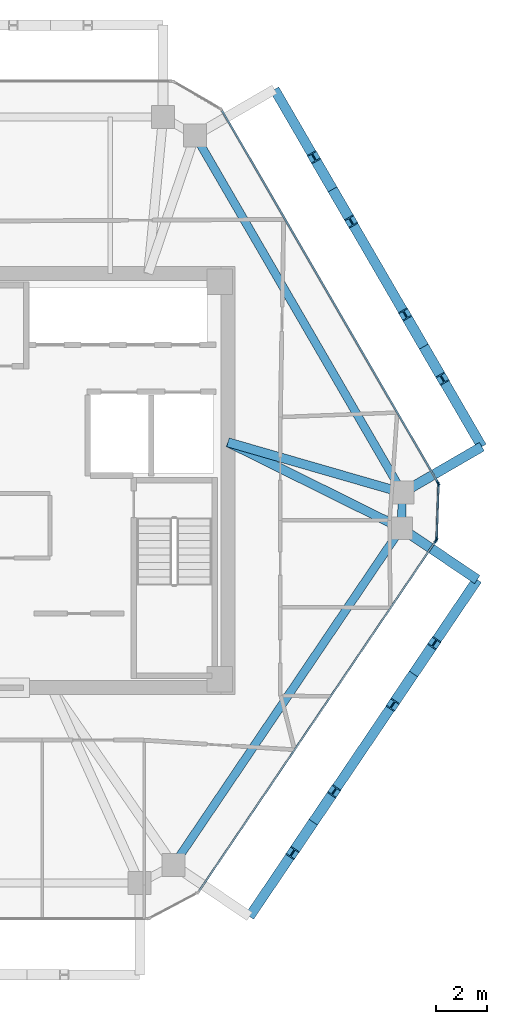
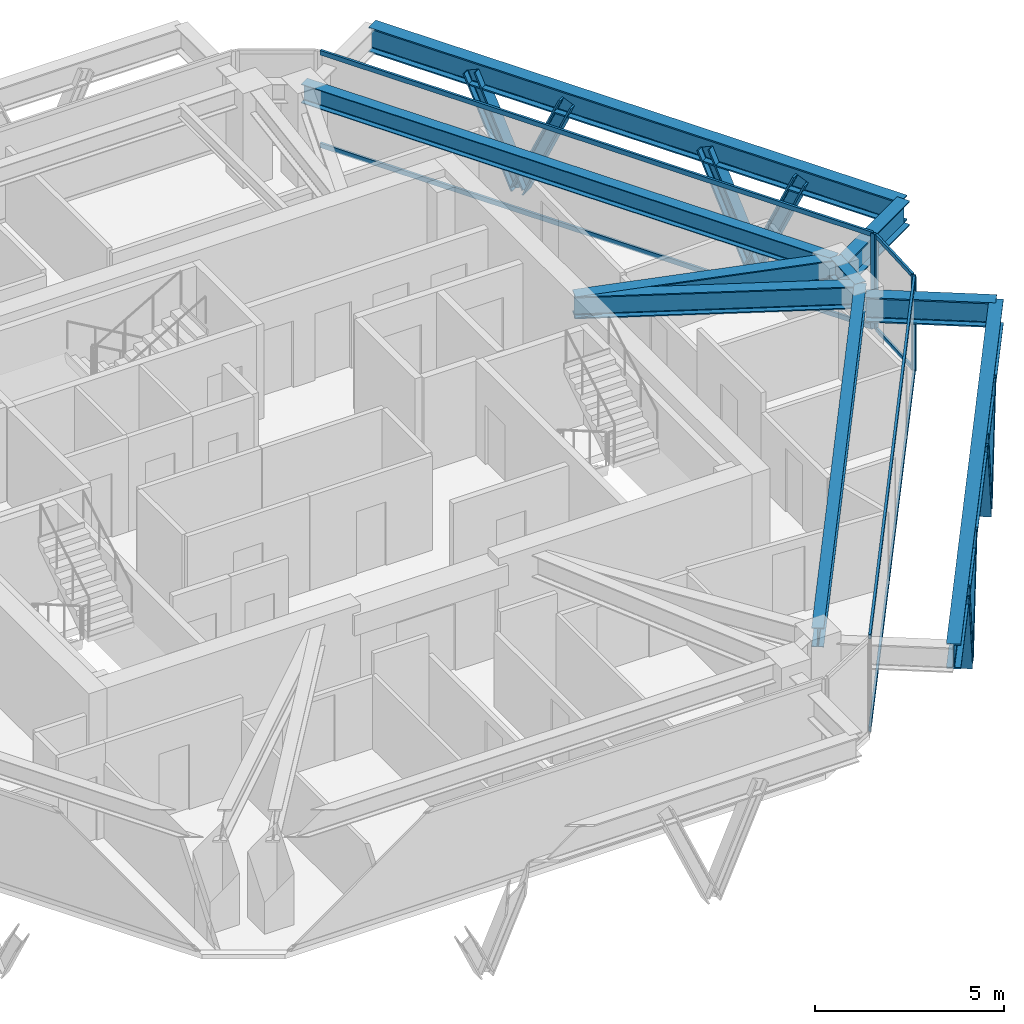
# One storey, part 5 of 11: 18 members, 9 beams, 3 elements without a shape of their own.
"""IFC4 building model written with IfcOpenShell, lengths in metres."""

import ifcopenshell
import ifcopenshell.guid

model = None  # the IFC model being written
_history = None  # IfcOwnerHistory: only IFC2X3 demands one
_inside = {}  # id of a spatial element -> (the spatial element, [elements in it])
_under = {}  # id of a project, library or spatial element -> (it, [spatial elements below it])
_declared = {}  # id of a project -> (the project, [libraries it declares])
_typed = {}  # id of a type object -> (the type object, [elements of that type])
_made_of = {}  # id of a material, layer set ... -> (it, [elements and type objects made of it])


def new_model(schema):
    """Start an empty IFC model of exactly this schema.

    Asked for "IFC4X3", IfcOpenShell would pick the latest addendum, in which some entities
    have other attributes; the version numbers below select the first issue.
    IFC2X3 requires an IfcOwnerHistory on every rooted entity: one is made here for all.
    """
    global model, _history
    if schema == "IFC4X3":
        model = ifcopenshell.file(schema_version=(4, 3, 0, 0))
    else:
        model = ifcopenshell.file(schema=schema)
    _inside.clear()
    _under.clear()
    _declared.clear()
    _typed.clear()
    _made_of.clear()
    _history = None
    if model.schema == "IFC2X3":
        org = make("IfcOrganization", Name="unknown")
        user = make(
            "IfcPersonAndOrganization",
            ThePerson=make("IfcPerson", FamilyName="unknown"),
            TheOrganization=org,
        )
        app = make(
            "IfcApplication",
            ApplicationDeveloper=org,
            Version="unknown",
            ApplicationFullName="unknown",
            ApplicationIdentifier="unknown",
        )
        _history = make(
            "IfcOwnerHistory",
            OwningUser=user,
            OwningApplication=app,
            ChangeAction="ADDED",
            CreationDate=0,
        )
    return model


def make(cls, **values):
    """One entity of the class cls with the attributes given. An attribute that is None is left unset."""
    return model.create_entity(
        cls, **{name: value for name, value in values.items() if value is not None}
    )


def rooted(cls, **values):
    """An entity with a GlobalId (a new one), such as an element, a storey or a relation."""
    return make(cls, GlobalId=ifcopenshell.guid.new(), OwnerHistory=_history, **values)


def si_unit(unit_type, name, prefix=None):
    """IfcSIUnit, for example si_unit("LENGTHUNIT", "METRE", prefix="MILLI")."""
    return make("IfcSIUnit", UnitType=unit_type, Prefix=prefix, Name=name)


def assignment(units):
    """IfcUnitAssignment: the units of a project."""
    return None if units is None else make("IfcUnitAssignment", Units=units)


def point(xyz):
    """IfcCartesianPoint."""
    return None if xyz is None else make("IfcCartesianPoint", Coordinates=xyz)


def direction(xyz):
    """IfcDirection."""
    return None if xyz is None else make("IfcDirection", DirectionRatios=xyz)


def frame(location, z_axis=None, x_axis=None):
    """IfcAxis2Placement3D, a coordinate frame: its origin and axes. An axis left out is left unset."""
    return make(
        "IfcAxis2Placement3D",
        Location=point(location),
        Axis=direction(z_axis),
        RefDirection=direction(x_axis),
    )


def frame_2d(location, x_axis=None):
    """IfcAxis2Placement2D, a coordinate frame in the plane: its origin and x axis."""
    return make(
        "IfcAxis2Placement2D", Location=point(location), RefDirection=direction(x_axis)
    )


def origin():
    """The frame at (0, 0, 0) with its axes left unset."""
    return frame((0.0, 0.0, 0.0))


def origin_2d():
    """The frame at (0, 0) in the plane with its x axis left unset."""
    return frame_2d((0.0, 0.0))


def place(relative_to, where):
    """IfcLocalPlacement: puts the frame where relative to a parent placement (None: the world)."""
    return make(
        "IfcLocalPlacement", PlacementRelTo=relative_to, RelativePlacement=where
    )


def context(
    kind, dimensions, precision=None, world=None, true_north=None, identifier=None
):
    """IfcGeometricRepresentationContext, for example the 3D "Model" context."""
    return make(
        "IfcGeometricRepresentationContext",
        ContextIdentifier=identifier,
        ContextType=kind,
        CoordinateSpaceDimension=dimensions,
        Precision=precision,
        WorldCoordinateSystem=world,
        TrueNorth=true_north,
    )


def subcontext(parent, identifier, kind, view, scale=None):
    """IfcGeometricRepresentationSubContext, for example "Body" below "Model"."""
    return make(
        "IfcGeometricRepresentationSubContext",
        ContextIdentifier=identifier,
        ContextType=kind,
        ParentContext=parent,
        TargetScale=scale,
        TargetView=view,
    )


def project(units=None, contexts=None):
    """IfcProject with its units and contexts."""
    return rooted(
        "IfcProject",
        Name="project",
        RepresentationContexts=contexts,
        UnitsInContext=assignment(units),
    )


def spatial(cls, under=None, at=None, **own):
    """A site, building, storey or space (cls), placed at a placement, below another one or the project."""
    s = rooted(cls, ObjectPlacement=at, **own)
    if under is not None:
        _under.setdefault(under.id(), (under, []))[1].append(s)
    return s


def profile(cls, at=None, kind="AREA", **sizes):
    """A parametric profile (cls). Its sizes go by their IFC names, for example OverallWidth=200.0."""
    return make(cls, ProfileType=kind, Position=at, **sizes)


def rectangle(**sizes):
    """IfcRectangleProfileDef."""
    return profile("IfcRectangleProfileDef", **sizes)


def i_section(**sizes):
    """IfcIShapeProfileDef."""
    return profile("IfcIShapeProfileDef", **sizes)


def extrude(swept, where, along, depth):
    """IfcExtrudedAreaSolid: the profile swept, set in the frame where, extruded along a direction by depth."""
    return make(
        "IfcExtrudedAreaSolid",
        SweptArea=swept,
        Position=where,
        ExtrudedDirection=direction(along),
        Depth=depth,
    )


def shape(context_of_items, identifier, shape_type, items):
    """IfcShapeRepresentation: the items that make up one representation, for example the "Body"."""
    return make(
        "IfcShapeRepresentation",
        ContextOfItems=context_of_items,
        RepresentationIdentifier=identifier,
        RepresentationType=shape_type,
        Items=items,
    )


def source(mapping_origin, context_of_items, identifier, shape_type, items):
    """IfcRepresentationMap: a shape defined once, which mapped items show again and again."""
    return make(
        "IfcRepresentationMap",
        MappingOrigin=mapping_origin,
        MappedRepresentation=shape(context_of_items, identifier, shape_type, items),
    )


def transform(
    local_origin,
    x_axis=None,
    y_axis=None,
    z_axis=None,
    scale=None,
    scale2=None,
    scale3=None,
    uniform=True,
):
    """IfcCartesianTransformationOperator3D, or its non-uniform kind. x_axis, y_axis, z_axis: its Axis1, 2, 3."""
    if uniform:
        return make(
            "IfcCartesianTransformationOperator3D",
            Axis1=direction(x_axis),
            Axis2=direction(y_axis),
            LocalOrigin=point(local_origin),
            Scale=scale,
            Axis3=direction(z_axis),
        )
    return make(
        "IfcCartesianTransformationOperator3DnonUniform",
        Axis1=direction(x_axis),
        Axis2=direction(y_axis),
        LocalOrigin=point(local_origin),
        Scale=scale,
        Axis3=direction(z_axis),
        Scale2=scale2,
        Scale3=scale3,
    )


def mapped(mapping_source, mapping_target):
    """IfcMappedItem: shows the shape of a source again, moved by a transform."""
    return make(
        "IfcMappedItem", MappingSource=mapping_source, MappingTarget=mapping_target
    )


def material(Name=None, Category=None):
    """IfcMaterial."""
    return make("IfcMaterial", Name=Name, Category=Category)


def layer(
    of_material, thickness, ventilated=None, Name=None, Category=None, Priority=None
):
    """IfcMaterialLayer: one layer of a wall or slab, of a material (None: an air gap)."""
    return make(
        "IfcMaterialLayer",
        Material=of_material,
        LayerThickness=thickness,
        IsVentilated=ventilated,
        Name=Name,
        Category=Category,
        Priority=Priority,
    )


def layer_set(layers, Name=None):
    """IfcMaterialLayerSet."""
    return make("IfcMaterialLayerSet", MaterialLayers=layers, LayerSetName=Name)


def material_profile(
    of_material, cross_section, Name=None, Category=None, Priority=None
):
    """IfcMaterialProfile: a cross section and its material."""
    return make(
        "IfcMaterialProfile",
        Name=Name,
        Material=of_material,
        Profile=cross_section,
        Priority=Priority,
        Category=Category,
    )


def profile_set(profiles, Name=None, composite=None):
    """IfcMaterialProfileSet."""
    return make(
        "IfcMaterialProfileSet",
        Name=Name,
        MaterialProfiles=profiles,
        CompositeProfile=composite,
    )


def made_of(thing, what):
    """Note that an element or type object is made of a material, layer set ...; save() writes the relation."""
    if what is not None:
        _made_of.setdefault(what.id(), (what, []))[1].append(thing)
    return thing


def type_object(cls, material=None, **own):
    """A type object (cls), such as IfcWallType, which elements share."""
    return made_of(rooted(cls, **own), material)


def type_shapes(of_type, sources):
    """Give a type object the sources (RepresentationMaps) that its elements show as mapped items."""
    of_type.RepresentationMaps = sources


def element(
    cls,
    number,
    at=None,
    inside=None,
    cuts=None,
    type_object=None,
    material=None,
    context=None,
    identifier="Body",
    shape_type=None,
    held_by="IfcProductDefinitionShape",
    body=None,
    shapes=None,
    **own,
):
    """One element of the class cls, such as IfcWall. Its Tag is "e" and its number.

    at: its placement. inside: the storey or other place that contains it. cuts: it is an
    opening in that element (IfcRelVoidsElement). A single representation is given by context,
    identifier, shape_type and body (its items); several are given by shapes. held_by: the class
    of the entity that holds the representations. save() writes the other relations.
    """
    e = rooted(cls, Tag="e%d" % number, ObjectPlacement=at, **own)
    if body is not None:
        shapes = [shape(context, identifier, shape_type, body)]
    if shapes is not None:
        e.Representation = make(held_by, Representations=shapes)
    if inside is not None:
        _inside.setdefault(inside.id(), (inside, []))[1].append(e)
    if cuts is not None:
        rooted(
            "IfcRelVoidsElement", RelatingBuildingElement=cuts, RelatedOpeningElement=e
        )
    if type_object is not None:
        _typed.setdefault(type_object.id(), (type_object, []))[1].append(e)
    return made_of(e, material)


def aggregate(whole, parts):
    """IfcRelAggregates: a whole, such as a stair, and the parts it consists of."""
    return rooted("IfcRelAggregates", RelatingObject=whole, RelatedObjects=parts)


def save(model, path):
    """Write the relations noted so far, then the file.

    IfcRelAggregates (storeys below a building ...), IfcRelContainedInSpatialStructure (elements
    in a storey), IfcRelDefinesByType, IfcRelAssociatesMaterial and IfcRelDeclares: one each for
    every whole, place, type object, material and project.
    """
    for whole, parts in _under.values():
        aggregate(whole, parts)
    for where, things in _inside.values():
        rooted(
            "IfcRelContainedInSpatialStructure",
            RelatedElements=things,
            RelatingStructure=where,
        )
    for kind, things in _typed.values():
        rooted("IfcRelDefinesByType", RelatedObjects=things, RelatingType=kind)
    for what, things in _made_of.values():
        rooted("IfcRelAssociatesMaterial", RelatedObjects=things, RelatingMaterial=what)
    for by, libraries in _declared.values():
        rooted("IfcRelDeclares", RelatingContext=by, RelatedDefinitions=libraries)
    model.write(path)


model = new_model("IFC4")

# Units and contexts
model_context = context("Model", 3, precision=1e-05, world=origin(), true_north=direction((0.0, 1.0)))
body_context = subcontext(model_context, "Body", "Model", "MODEL_VIEW")
ifc_project = project(units=[si_unit("LENGTHUNIT", "METRE"), si_unit("AREAUNIT", "SQUARE_METRE"), si_unit("VOLUMEUNIT", "CUBIC_METRE"), si_unit("PLANEANGLEUNIT", "RADIAN"), si_unit("MASSUNIT", "GRAM", prefix="KILO")], contexts=[model_context])

# Site, building, storey
site_placement = place(None, origin())
site = spatial("IfcSite", under=ifc_project, at=site_placement, CompositionType="ELEMENT")
building_placement = place(site_placement, origin())
building = spatial("IfcBuilding", under=site, at=building_placement, Name="Durnholm Broadcast Tower", CompositionType="ELEMENT")
storey_placement = place(building_placement, frame((0.0, 0.0, 244.699951171875)))
storey = spatial("IfcBuildingStorey", under=building, at=storey_placement, Name="L68", CompositionType="ELEMENT", Elevation=244.699951171875)

# Beams
ifc_material_1 = material(Name="Steel ASTM A992 Grade 50", Category="steel")
ifc_material_profile_1 = material_profile(ifc_material_1, i_section(OverallWidth=0.385009765625, OverallDepth=0.802978515625, WebThickness=0.023681640625, FlangeThickness=0.0419921875, FilletRadius=0.032958984375, at=origin_2d()), Name="W30X261")
ifc_profile_set_1 = profile_set([ifc_material_profile_1], Name="Steel ASTM A992 Grade 50")
beam_type_1 = type_object("IfcBeamType", Name="BM-EXO-TIE", PredefinedType="USERDEFINED", material=ifc_profile_set_1)
shared_shape_1 = source(origin(), body_context, "Body", "SweptSolid", [
    extrude(i_section(OverallWidth=0.385009765625, OverallDepth=0.802978515625, WebThickness=0.023681640625, FlangeThickness=0.0419921875, FilletRadius=0.032958984375, at=origin_2d()), origin(), (0.0, 0.0, 1.0), 3.4560546875),
])
beam_1_placement = place(storey_placement, frame((17.0947265625, -0.40380859375, 2.30859375), z_axis=(0.864924479231, 0.501902027518, 0.0), x_axis=(-0.501902027518, 0.864924479231, 0.0)))
element("IfcBeam", 1, at=beam_1_placement, inside=storey, type_object=beam_type_1, Name="L68 exoskeleton stand-off tie bracket F3.1", ObjectType="GIRDER", PredefinedType="USERDEFINED", context=body_context, shape_type="MappedRepresentation", body=[
    mapped(shared_shape_1, transform((0.0, 0.0, 0.0), x_axis=(1.0, 0.0, 0.0), y_axis=(0.0, 1.0, 0.0), z_axis=(0.0, 0.0, 1.0), scale=1.0)),
])
shared_shape_2 = source(origin(), body_context, "Body", "SweptSolid", [
    extrude(i_section(OverallWidth=0.385009765625, OverallDepth=0.802978515625, WebThickness=0.023681640625, FlangeThickness=0.0419921875, FilletRadius=0.032958984375, at=origin_2d()), origin(), (0.0, 0.0, 1.0), 3.455810546875),
])
beam_2_placement = place(storey_placement, frame((17.041748046875, -1.95068359375, 2.30859375), z_axis=(0.828446342252, -0.560068440469, 0.0), x_axis=(0.560068440469, 0.828446342252, 0.0)))
element("IfcBeam", 2, at=beam_2_placement, inside=storey, type_object=beam_type_1, Name="L68 exoskeleton stand-off tie bracket F2.2", ObjectType="GIRDER", PredefinedType="USERDEFINED", context=body_context, shape_type="MappedRepresentation", body=[
    mapped(shared_shape_2, transform((0.0, 0.0, 0.0), x_axis=(1.0, 0.0, 0.0), y_axis=(0.0, 1.0, 0.0), z_axis=(0.0, 0.0, 1.0), scale=1.0)),
])
ifc_material_profile_2 = material_profile(ifc_material_1, i_section(OverallWidth=0.3251953125, OverallDepth=0.6162109375, WebThickness=0.013916015625, FlangeThickness=0.021484375, FilletRadius=0.02783203125, at=origin_2d()), Name="W24X117")
ifc_profile_set_2 = profile_set([ifc_material_profile_2], Name="Steel ASTM A992 Grade 50")
beam_type_2 = type_object("IfcBeamType", Name="STL-SP-W24X117", PredefinedType="SPANDREL", material=ifc_profile_set_2)
shared_shape_3 = source(origin(), body_context, "Body", "SweptSolid", [
    extrude(i_section(OverallWidth=0.3251953125, OverallDepth=0.6162109375, WebThickness=0.013916015625, FlangeThickness=0.021484375, FilletRadius=0.02783203125, at=origin_2d()), origin(), (0.0, 0.0, 1.0), 1.39453125),
])
beam_3_placement = place(storey_placement, frame((16.97021484375, -0.47607421875, 2.737060546875), z_axis=(-0.034311541846, -0.999411185697, 0.0), x_axis=(0.999411185697, -0.034311541846, 0.0)))
element("IfcBeam", 3, at=beam_3_placement, inside=storey, type_object=beam_type_2, Name="L68 perimeter spandrel girder 08", PredefinedType="SPANDREL", context=body_context, shape_type="MappedRepresentation", body=[
    mapped(shared_shape_3, transform((0.0, 0.0, 0.0), x_axis=(1.0, 0.0, 0.0), y_axis=(0.0, 1.0, 0.0), z_axis=(0.0, 0.0, 1.0), scale=1.0)),
])
shared_shape_4 = source(origin(), body_context, "Body", "SweptSolid", [
    extrude(i_section(OverallWidth=0.3251953125, OverallDepth=0.6162109375, WebThickness=0.013916015625, FlangeThickness=0.021484375, FilletRadius=0.02783203125, at=origin_2d()), origin(), (0.0, 0.0, 1.0), 15.947265625),
])
beam_4_placement = place(storey_placement, frame((16.92236328125, -1.869873046875, 2.737060546875), z_axis=(-0.560062212489, -0.828450552623, 0.0), x_axis=(0.828450552623, -0.560062212489, 0.0)))
element("IfcBeam", 4, at=beam_4_placement, inside=storey, type_object=beam_type_2, Name="L68 perimeter spandrel girder 09", PredefinedType="SPANDREL", context=body_context, shape_type="MappedRepresentation", body=[
    mapped(shared_shape_4, transform((0.0, 0.0, 0.0), x_axis=(1.0, 0.0, 0.0), y_axis=(0.0, 1.0, 0.0), z_axis=(0.0, 0.0, 1.0), scale=1.0)),
])
shared_shape_5 = source(origin(), body_context, "Body", "SweptSolid", [
    extrude(i_section(OverallWidth=0.3251953125, OverallDepth=0.6162109375, WebThickness=0.013916015625, FlangeThickness=0.021484375, FilletRadius=0.02783203125, at=origin_2d()), origin(), (0.0, 0.0, 1.0), 16.20263671875),
])
type_shapes(beam_type_2, [shared_shape_3, shared_shape_4, shared_shape_5])
beam_5_placement = place(storey_placement, frame((8.83740234375, 13.53759765625, 2.737060546875), z_axis=(0.501943573333, -0.864900369516, 0.0), x_axis=(0.864900369516, 0.501943573333, 0.0)))
element("IfcBeam", 5, at=beam_5_placement, inside=storey, type_object=beam_type_2, Name="L68 perimeter spandrel girder 07", PredefinedType="SPANDREL", context=body_context, shape_type="MappedRepresentation", body=[
    mapped(shared_shape_5, transform((0.0, 0.0, 0.0), x_axis=(1.0, 0.0, 0.0), y_axis=(0.0, 1.0, 0.0), z_axis=(0.0, 0.0, 1.0), scale=1.0)),
])
shared_shape_6 = source(origin(), body_context, "Body", "SweptSolid", [
    extrude(i_section(OverallWidth=0.385009765625, OverallDepth=0.802978515625, WebThickness=0.023681640625, FlangeThickness=0.0419921875, FilletRadius=0.032958984375, at=origin_2d()), origin(), (0.0, 0.0, 1.0), 15.947021484375),
])
beam_6_placement = place(storey_placement, frame((10.973388671875, -17.097412109375, 2.30859375), z_axis=(0.560069315853, 0.828445750451, 0.0), x_axis=(-0.828445750451, 0.560069315853, 0.0)))
element("IfcBeam", 6, at=beam_6_placement, inside=storey, type_object=beam_type_1, Name="L68 exoskeleton collector spandrel F2", PredefinedType="SPANDREL", context=body_context, shape_type="MappedRepresentation", body=[
    mapped(shared_shape_6, transform((0.0, 0.0, 0.0), x_axis=(1.0, 0.0, 0.0), y_axis=(0.0, 1.0, 0.0), z_axis=(0.0, 0.0, 1.0), scale=1.0)),
])
shared_shape_7 = source(origin(), body_context, "Body", "SweptSolid", [
    extrude(i_section(OverallWidth=0.385009765625, OverallDepth=0.802978515625, WebThickness=0.023681640625, FlangeThickness=0.0419921875, FilletRadius=0.032958984375, at=origin_2d()), origin(), (0.0, 0.0, 1.0), 16.202880859375),
])
type_shapes(beam_type_1, [shared_shape_1, shared_shape_2, shared_shape_6, shared_shape_7])
beam_7_placement = place(storey_placement, frame((20.083984375, 1.330810546875, 2.30859375), z_axis=(-0.501948303381, 0.864897624423, 0.0), x_axis=(-0.864897624423, -0.501948303381, 0.0)))
element("IfcBeam", 7, at=beam_7_placement, inside=storey, type_object=beam_type_1, Name="L68 exoskeleton collector spandrel F3", PredefinedType="SPANDREL", context=body_context, shape_type="MappedRepresentation", body=[
    mapped(shared_shape_7, transform((0.0, 0.0, 0.0), x_axis=(1.0, 0.0, 0.0), y_axis=(0.0, 1.0, 0.0), z_axis=(0.0, 0.0, 1.0), scale=1.0)),
])
ifc_material_profile_3 = material_profile(ifc_material_1, i_section(OverallWidth=0.3564453125, OverallDepth=0.713623046875, WebThickness=0.01904296875, FlangeThickness=0.033935546875, FilletRadius=0.030517578125, at=origin_2d()), Name="W27X194")
ifc_profile_set_3 = profile_set([ifc_material_profile_3], Name="Steel ASTM A992 Grade 50")
beam_type_3 = type_object("IfcBeamType", Name="STL-GR-W27X194", PredefinedType="USERDEFINED", material=ifc_profile_set_3)
shared_shape_8 = source(origin(), body_context, "Body", "SweptSolid", [
    extrude(i_section(OverallWidth=0.3564453125, OverallDepth=0.713623046875, WebThickness=0.01904296875, FlangeThickness=0.033935546875, FilletRadius=0.030517578125, at=origin_2d()), origin(), (0.0, 0.0, 1.0), 7.124755859375),
])
beam_8_placement = place(storey_placement, frame((10.125, 1.5, 2.688232421875), z_axis=(0.960767767054, -0.277354101809, 0.0), x_axis=(0.277354101809, 0.960767767054, 0.0)))
element("IfcBeam", 8, at=beam_8_placement, inside=storey, type_object=beam_type_3, Name="L68 radial primary floor girder 08", ObjectType="GIRDER", PredefinedType="USERDEFINED", context=body_context, shape_type="MappedRepresentation", body=[
    mapped(shared_shape_8, transform((0.0, 0.0, 0.0), x_axis=(1.0, 0.0, 0.0), y_axis=(0.0, 1.0, 0.0), z_axis=(0.0, 0.0, 1.0), scale=1.0)),
])
shared_shape_9 = source(origin(), body_context, "Body", "SweptSolid", [
    extrude(i_section(OverallWidth=0.3564453125, OverallDepth=0.713623046875, WebThickness=0.01904296875, FlangeThickness=0.033935546875, FilletRadius=0.030517578125, at=origin_2d()), origin(), (0.0, 0.0, 1.0), 7.5869140625),
])
type_shapes(beam_type_3, [shared_shape_8, shared_shape_9])
beam_9_placement = place(storey_placement, frame((10.125, 1.5, 2.688232421875), z_axis=(0.895940903598, -0.444173273916, 0.0), x_axis=(0.444173273916, 0.895940903598, 0.0)))
element("IfcBeam", 9, at=beam_9_placement, inside=storey, type_object=beam_type_3, Name="L68 radial primary floor girder 09", ObjectType="GIRDER", PredefinedType="USERDEFINED", context=body_context, shape_type="MappedRepresentation", body=[
    mapped(shared_shape_9, transform((0.0, 0.0, 0.0), x_axis=(1.0, 0.0, 0.0), y_axis=(0.0, 1.0, 0.0), z_axis=(0.0, 0.0, 1.0), scale=1.0)),
])

# Members
ifc_material_2 = material(Name="Steel ASTM A913 Grade 65", Category="steel")
ifc_material_profile_4 = material_profile(ifc_material_2, i_section(OverallWidth=0.40625, OverallDepth=0.416015625, WebThickness=0.02978515625, FlangeThickness=0.048095703125, FilletRadius=0.030517578125, at=origin_2d()), Name="W14X257")
ifc_profile_set_4 = profile_set([ifc_material_profile_4], Name="Steel ASTM A913 Grade 65")
member_type_1 = type_object("IfcMemberType", Name="STL-DG-W14X257", PredefinedType="BRACE", material=ifc_profile_set_4)
shared_shape_10 = source(origin(), body_context, "Body", "SweptSolid", [
    extrude(i_section(OverallWidth=0.40625, OverallDepth=0.416015625, WebThickness=0.02978515625, FlangeThickness=0.048095703125, FilletRadius=0.030517578125, at=origin_2d()), origin(), (0.0, 0.0, 1.0), 3.60791015625),
])
type_shapes(member_type_1, [shared_shape_10])
for number, where, z_axis, x_axis, name in (
    (10, (13.47412109375, -13.398193359375, -0.991455078125), (-0.226349134478, -0.334888450383, 0.914667040579), (0.828505003222, -0.559981660089, 0.0), "L68 stand-off diagrid brace F2.D1.1"),
    (11, (13.47412109375, -13.398193359375, -0.991455078125), (0.226354263477, 0.334828369412, 0.914687766641), (-0.828452496411, 0.560059337206, 0.0), "L68 stand-off diagrid brace F2.D1.2"),
    (12, (17.404052734375, -7.585205078125, -0.991455078125), (-0.226349134478, -0.334888450383, 0.914667040579), (0.828505003222, -0.559981660089, 0.0), "L68 stand-off diagrid brace F2.D2.1"),
    (13, (17.404052734375, -7.585205078125, -0.991455078125), (0.226354263477, 0.334828369412, 0.914687766641), (-0.828452496411, 0.560059337206, 0.0), "L68 stand-off diagrid brace F2.D2.2"),
    (14, (17.806640625, 5.2548828125, -0.991455078125), (0.202871189729, -0.349577240207, 0.914679743685), (0.864906184135, 0.501933554014, 0.0), "L68 stand-off diagrid brace F3.D1.1"),
    (15, (17.806640625, 5.2548828125, -0.991455078125), (-0.202871189729, 0.349577240207, 0.914679743685), (-0.864906184135, -0.501933554014, 0.0), "L68 stand-off diagrid brace F3.D1.2"),
    (16, (14.228271484375, 11.4208984375, -0.991455078125), (0.202871189729, -0.349577240207, 0.914679743685), (0.864906184135, 0.501933554014, 0.0), "L68 stand-off diagrid brace F3.D2.1"),
    (17, (14.228271484375, 11.4208984375, -0.991455078125), (-0.202875988452, 0.349517838677, 0.914701379553), (-0.864863994925, -0.502006245263, 0.0), "L68 stand-off diagrid brace F3.D2.2"),
):
    element("IfcMember", number, at=place(storey_placement, frame(where, z_axis=z_axis, x_axis=x_axis)), inside=storey, type_object=member_type_1, Name=name, PredefinedType="BRACE", context=body_context, shape_type="MappedRepresentation", body=[
        mapped(shared_shape_10, transform((0.0, 0.0, 0.0), x_axis=(1.0, 0.0, 0.0), y_axis=(0.0, 1.0, 0.0), z_axis=(0.0, 0.0, 1.0), scale=1.0)),
    ])

# Curtain wall, members
ifc_material_3 = material(Name="Aluminium and Solar Control IGU", Category="aluminium")
ifc_layer_1 = layer(ifc_material_3, 0.1650390625)
ifc_layer_set_1 = layer_set([ifc_layer_1], Name="Aluminium and Solar Control IGU")
curtain_wall_type_1 = type_object("IfcCurtainWallType", Name="CW-SYS-5", PredefinedType="NOTDEFINED", material=ifc_layer_set_1)
curtain_wall_1_placement = place(storey_placement, origin())
curtain_wall_1 = element("IfcCurtainWall", 18, at=curtain_wall_1_placement, inside=storey, type_object=curtain_wall_type_1, Name="L68 curtain wall CW-CORNER CW-L68-CRN-07", PredefinedType="NOTDEFINED")
ifc_material_4 = material(Name="Aluminium 6063-T6", Category="aluminium")
ifc_material_profile_5 = material_profile(ifc_material_4, rectangle(XDim=0.06494140625, YDim=0.1298828125, at=origin_2d()), Name="CWT65X130")
ifc_profile_set_5 = profile_set([ifc_material_profile_5], Name="Aluminium 6063-T6")
member_type_2 = type_object("IfcMemberType", Name="CW-SYS-5-TRN", PredefinedType="USERDEFINED", material=ifc_profile_set_5)
shared_shape_11 = source(origin(), body_context, "Body", "SweptSolid", [
    extrude(rectangle(XDim=0.06494140625, YDim=0.1298828125, at=origin_2d()), origin(), (0.0, 0.0, 1.0), 2.06982421875),
])
type_shapes(member_type_2, [shared_shape_11])
member_1_placement = place(storey_placement, frame((18.381103515625, -0.186767578125, 0.032470703125), z_axis=(-0.034324150719, -0.999410752733, 0.0), x_axis=(0.999410752733, -0.034324150719, 0.0)))
member_1 = element("IfcMember", 19, at=member_1_placement, type_object=member_type_2, Name="CW-CORNER transom 1.1", ObjectType="TRANSOM", PredefinedType="USERDEFINED", context=body_context, shape_type="MappedRepresentation", body=[
    mapped(shared_shape_11, transform((0.0, 0.0, 0.0), x_axis=(1.0, 0.0, 0.0), y_axis=(0.0, 1.0, 0.0), z_axis=(0.0, 0.0, 1.0), scale=1.0)),
])
member_2_placement = place(storey_placement, frame((18.381103515625, -0.186767578125, 3.027587890625), z_axis=(-0.034324150719, -0.999410752733, 0.0), x_axis=(0.999410752733, -0.034324150719, 0.0)))
member_2 = element("IfcMember", 20, at=member_2_placement, type_object=member_type_2, Name="CW-CORNER transom 1.2", ObjectType="TRANSOM", PredefinedType="USERDEFINED", context=body_context, shape_type="MappedRepresentation", body=[
    mapped(shared_shape_11, transform((0.0, 0.0, 0.0), x_axis=(1.0, 0.0, 0.0), y_axis=(0.0, 1.0, 0.0), z_axis=(0.0, 0.0, 1.0), scale=1.0)),
])
ifc_material_profile_6 = material_profile(ifc_material_4, rectangle(XDim=0.06494140625, YDim=0.1650390625, at=origin_2d()), Name="CWM65X165")
ifc_profile_set_6 = profile_set([ifc_material_profile_6], Name="Aluminium 6063-T6")
member_type_3 = type_object("IfcMemberType", Name="CW-SYS-5-MUL", PredefinedType="MULLION", material=ifc_profile_set_6)
shared_shape_12 = source(origin(), body_context, "Body", "SweptSolid", [
    extrude(rectangle(XDim=0.06494140625, YDim=0.1650390625, at=origin_2d()), origin(), (0.0, 0.0, 1.0), 3.06005859375),
])
type_shapes(member_type_3, [shared_shape_12])
member_3_placement = place(storey_placement, frame((18.382080078125, -0.154296875, 0.0), z_axis=(0.0, 0.0, 1.0), x_axis=(0.999410955514, -0.034318245849, 0.0)))
member_3 = element("IfcMember", 21, at=member_3_placement, type_object=member_type_3, Name="CW-CORNER mullion 1", PredefinedType="MULLION", context=body_context, shape_type="MappedRepresentation", body=[
    mapped(shared_shape_12, transform((0.0, 0.0, 0.0), x_axis=(1.0, 0.0, 0.0), y_axis=(0.0, 1.0, 0.0), z_axis=(0.0, 0.0, 1.0), scale=1.0)),
])
member_4_placement = place(storey_placement, frame((18.308837890625, -2.287841796875, 0.0), z_axis=(0.0, 0.0, 1.0), x_axis=(0.999410955514, -0.034318245849, 0.0)))
member_4 = element("IfcMember", 22, at=member_4_placement, type_object=member_type_3, Name="CW-CORNER mullion 2", PredefinedType="MULLION", context=body_context, shape_type="MappedRepresentation", body=[
    mapped(shared_shape_12, transform((0.0, 0.0, 0.0), x_axis=(1.0, 0.0, 0.0), y_axis=(0.0, 1.0, 0.0), z_axis=(0.0, 0.0, 1.0), scale=1.0)),
])
aggregate(curtain_wall_1, [member_3, member_4, member_1, member_2])

# Curtain wall, member
ifc_layer_2 = layer(ifc_material_3, 0.18994140625)
ifc_layer_set_2 = layer_set([ifc_layer_2], Name="Aluminium and Solar Control IGU")
curtain_wall_type_2 = type_object("IfcCurtainWallType", Name="CW-SYS-4", PredefinedType="NOTDEFINED", material=ifc_layer_set_2)
curtain_wall_2_placement = place(storey_placement, origin())
curtain_wall_2 = element("IfcCurtainWall", 23, at=curtain_wall_2_placement, inside=storey, type_object=curtain_wall_type_2, Name="L68 curtain wall CW-Z34-VIS CW-L68-F06", PredefinedType="NOTDEFINED")
ifc_material_profile_7 = material_profile(ifc_material_4, rectangle(XDim=0.070068359375, YDim=0.18994140625, at=origin_2d()), Name="CWM70X190")
ifc_profile_set_7 = profile_set([ifc_material_profile_7], Name="Aluminium 6063-T6")
member_type_4 = type_object("IfcMemberType", Name="CW-SYS-4-MUL", PredefinedType="MULLION", material=ifc_profile_set_7)
shared_shape_13 = source(origin(), body_context, "Body", "SweptSolid", [
    extrude(rectangle(XDim=0.070068359375, YDim=0.18994140625, at=origin_2d()), origin(), (0.0, 0.0, 1.0), 3.06005859375),
])
type_shapes(member_type_4, [shared_shape_13])
member_5_placement = place(storey_placement, frame((18.36572265625, -0.09130859375, 0.0), z_axis=(0.0, 0.0, 1.0), x_axis=(0.864899883824, 0.50194441023, 0.0)))
member_5 = element("IfcMember", 24, at=member_5_placement, type_object=member_type_4, Name="CW-Z34-VIS mullion 2", PredefinedType="MULLION", context=body_context, shape_type="MappedRepresentation", body=[
    mapped(shared_shape_13, transform((0.0, 0.0, 0.0), x_axis=(1.0, 0.0, 0.0), y_axis=(0.0, 1.0, 0.0), z_axis=(0.0, 0.0, 1.0), scale=1.0)),
])

# Curtain wall, members
curtain_wall_3_placement = place(storey_placement, origin())
curtain_wall_3 = element("IfcCurtainWall", 25, at=curtain_wall_3_placement, inside=storey, type_object=curtain_wall_type_2, Name="L68 curtain wall CW-Z34-VIS CW-L68-F08", PredefinedType="NOTDEFINED")
member_6_placement = place(storey_placement, frame((18.2880859375, -2.349365234375, 0.0), z_axis=(0.0, 0.0, 1.0), x_axis=(0.828443431662, -0.560072745753, 0.0)))
member_6 = element("IfcMember", 26, at=member_6_placement, type_object=member_type_4, Name="CW-Z34-VIS mullion 1", PredefinedType="MULLION", context=body_context, shape_type="MappedRepresentation", body=[
    mapped(shared_shape_13, transform((0.0, 0.0, 0.0), x_axis=(1.0, 0.0, 0.0), y_axis=(0.0, 1.0, 0.0), z_axis=(0.0, 0.0, 1.0), scale=1.0)),
])
ifc_material_profile_8 = material_profile(ifc_material_4, rectangle(XDim=0.070068359375, YDim=0.14990234375, at=origin_2d()), Name="CWT70X150")
ifc_profile_set_8 = profile_set([ifc_material_profile_8], Name="Aluminium 6063-T6")
member_type_5 = type_object("IfcMemberType", Name="CW-SYS-4-TRN", PredefinedType="USERDEFINED", material=ifc_profile_set_8)
shared_shape_14 = source(origin(), body_context, "Body", "SweptSolid", [
    extrude(rectangle(XDim=0.070068359375, YDim=0.14990234375, at=origin_2d()), origin(), (0.0, 0.0, 1.0), 16.55859375),
])
member_7_placement = place(storey_placement, frame((18.2685546875, -2.37841796875, 0.03515625), z_axis=(-0.560071338091, -0.828444383317, 0.0), x_axis=(0.828444383317, -0.560071338091, 0.0)))
member_7 = element("IfcMember", 27, at=member_7_placement, type_object=member_type_5, Name="CW-Z34-VIS transom 1.1", ObjectType="TRANSOM", PredefinedType="USERDEFINED", context=body_context, shape_type="MappedRepresentation", body=[
    mapped(shared_shape_14, transform((0.0, 0.0, 0.0), x_axis=(1.0, 0.0, 0.0), y_axis=(0.0, 1.0, 0.0), z_axis=(0.0, 0.0, 1.0), scale=1.0)),
])
member_8_placement = place(storey_placement, frame((18.2685546875, -2.37841796875, 3.025146484375), z_axis=(-0.560071338091, -0.828444383317, 0.0), x_axis=(0.828444383317, -0.560071338091, 0.0)))
member_8 = element("IfcMember", 28, at=member_8_placement, type_object=member_type_5, Name="CW-Z34-VIS transom 1.2", ObjectType="TRANSOM", PredefinedType="USERDEFINED", context=body_context, shape_type="MappedRepresentation", body=[
    mapped(shared_shape_14, transform((0.0, 0.0, 0.0), x_axis=(1.0, 0.0, 0.0), y_axis=(0.0, 1.0, 0.0), z_axis=(0.0, 0.0, 1.0), scale=1.0)),
])
aggregate(curtain_wall_3, [member_6, member_7, member_8])

# Member
shared_shape_15 = source(origin(), body_context, "Body", "SweptSolid", [
    extrude(rectangle(XDim=0.070068359375, YDim=0.14990234375, at=origin_2d()), origin(), (0.0, 0.0, 1.0), 16.83984375),
])
type_shapes(member_type_5, [shared_shape_14, shared_shape_15])
member_9_placement = place(storey_placement, frame((9.8955078125, 14.503662109375, 0.03515625), z_axis=(0.501945239029, -0.86489940283, 0.0), x_axis=(0.86489940283, 0.501945239029, 0.0)))
member_9 = element("IfcMember", 29, at=member_9_placement, type_object=member_type_5, Name="CW-Z34-VIS transom 1.1", ObjectType="TRANSOM", PredefinedType="USERDEFINED", context=body_context, shape_type="MappedRepresentation", body=[
    mapped(shared_shape_15, transform((0.0, 0.0, 0.0), x_axis=(1.0, 0.0, 0.0), y_axis=(0.0, 1.0, 0.0), z_axis=(0.0, 0.0, 1.0), scale=1.0)),
])

member_10_placement = place(storey_placement, frame((9.8955078125, 14.503662109375, 3.025146484375), z_axis=(0.501945239029, -0.86489940283, 0.0), x_axis=(0.86489940283, 0.501945239029, 0.0)))
member_10 = element("IfcMember", 30, at=member_10_placement, type_object=member_type_5, Name="CW-Z34-VIS transom 1.2", ObjectType="TRANSOM", PredefinedType="USERDEFINED", context=body_context, shape_type="MappedRepresentation", body=[
    mapped(shared_shape_15, transform((0.0, 0.0, 0.0), x_axis=(1.0, 0.0, 0.0), y_axis=(0.0, 1.0, 0.0), z_axis=(0.0, 0.0, 1.0), scale=1.0)),
])

aggregate(curtain_wall_2, [member_5, member_9, member_10])

save(model, "model.ifc")
